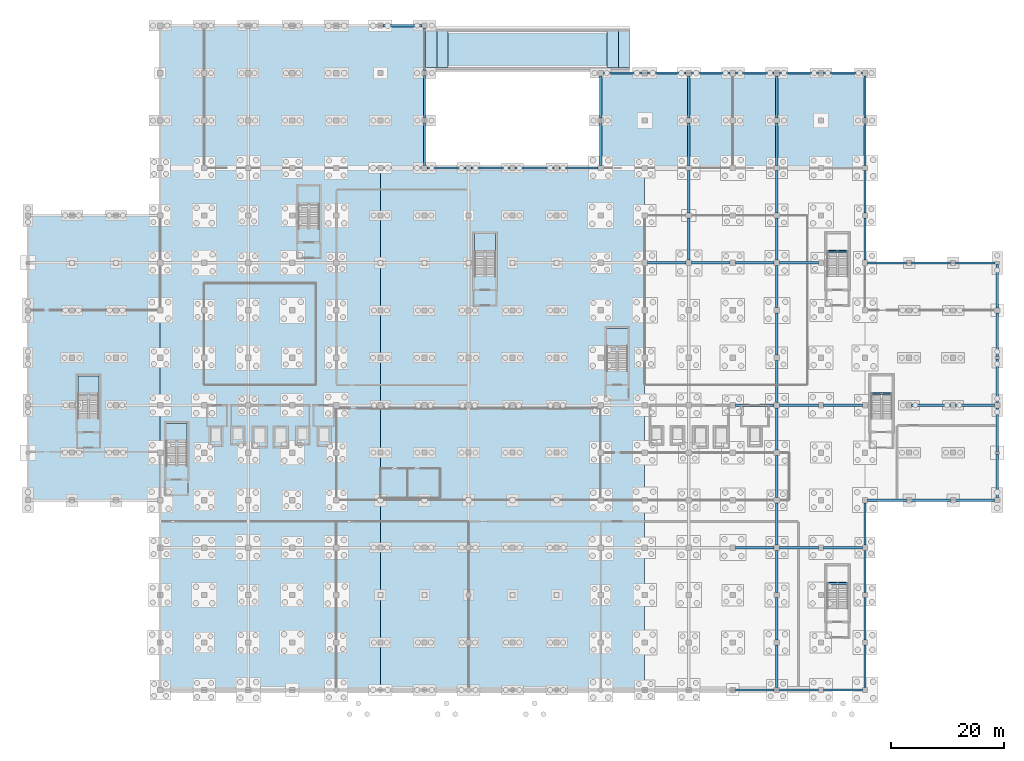
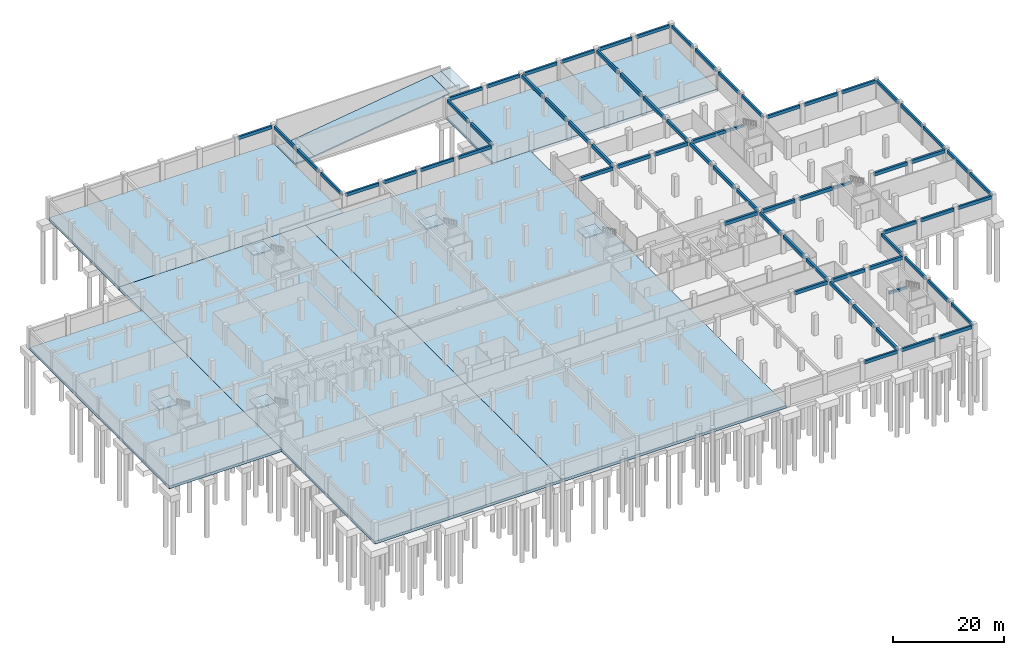
# One storey, part 11 of 30: 70 beams, 15 slabs, 5 elements without a shape of their own.
"""IFC4 building model written with IfcOpenShell, lengths in metres."""

from ifc_helpers import new_model, si_unit, direction, frame, origin, origin_2d, place, context, subcontext, project, spatial, polyline, rectangle, outline, extrude, material, layer, layer_set, material_profile, profile_set, type_object, element, aggregate, save


model = new_model("IFC4")

# Units and contexts
model_context = context("Model", 3, precision=1e-05, world=origin(), true_north=direction((0.0, 1.0)))
body_context = subcontext(model_context, "Body", "Model", "MODEL_VIEW")
ifc_project = project(units=[si_unit("LENGTHUNIT", "METRE"), si_unit("AREAUNIT", "SQUARE_METRE"), si_unit("VOLUMEUNIT", "CUBIC_METRE"), si_unit("PLANEANGLEUNIT", "RADIAN"), si_unit("MASSUNIT", "GRAM", prefix="KILO"), si_unit("THERMODYNAMICTEMPERATUREUNIT", "KELVIN"), si_unit("POWERUNIT", "WATT")], contexts=[model_context])

# Site, building, storey
site_placement = place(None, origin())
site = spatial("IfcSite", under=ifc_project, at=site_placement, CompositionType="ELEMENT")
building_placement = place(site_placement, origin())
building = spatial("IfcBuilding", under=site, at=building_placement, Name="Srebrne Nadtorze General Hospital", CompositionType="ELEMENT")
storey_placement = place(building_placement, frame((0.0, 0.0, -4.5)))
storey = spatial("IfcBuildingStorey", under=building, at=storey_placement, Name="B1", CompositionType="ELEMENT", Elevation=-4.5)

# Beams
ifc_material_1 = material(Name="Concrete C40/50", Category="concrete")
ifc_material_profile_1 = material_profile(ifc_material_1, rectangle(XDim=0.39990234375, YDim=0.699951171875, at=origin_2d()), Name="RC-BM-400x700")
ifc_profile_set_1 = profile_set([ifc_material_profile_1], Name="Concrete C40/50")
beam_type_1 = type_object("IfcBeamType", Name="Edge beam RC 400x700", PredefinedType="BEAM", material=ifc_profile_set_1)
for number, where, z_axis, x_axis, name in (
    (1, (125.27490234375, 0.0, 3.800048828125), (1.0, 0.0, 0.0), (0.0, 1.0, 0.0), "Beam BM-B1-X-0014"),
    (2, (133.074951171875, 0.0, 3.800048828125), (1.0, 0.0, 0.0), (0.0, 1.0, 0.0), "Beam BM-B1-X-0015"),
    (3, (140.875, 0.0, 3.800048828125), (1.0, 0.0, 0.0), (0.0, 1.0, 0.0), "Beam BM-B1-X-0016"),
):
    element("IfcBeam", number, at=place(storey_placement, frame(where, z_axis=z_axis, x_axis=x_axis)), inside=storey, type_object=beam_type_1, Name=name, PredefinedType="BEAM", context=body_context, shape_type="SweptSolid", body=[
        extrude(rectangle(XDim=0.39990234375, YDim=0.699951171875, at=origin_2d()), origin(), (0.0, 0.0, 1.0), 6.85009765625),
    ])
beam_1_placement = place(storey_placement, frame((148.675048828125, 33.60009765625, 3.800048828125), z_axis=(1.0, 0.0, 0.0), x_axis=(0.0, 1.0, 0.0)))
element("IfcBeam", 4, at=beam_1_placement, inside=storey, type_object=beam_type_1, Name="Beam BM-B1-X-0036", PredefinedType="BEAM", context=body_context, shape_type="SweptSolid", body=[
    extrude(rectangle(XDim=0.39990234375, YDim=0.699951171875, at=origin_2d()), origin(), (0.0, 0.0, 1.0), 6.875),
])
beam_2_placement = place(storey_placement, frame((156.449951171875, 33.60009765625, 3.800048828125), z_axis=(1.0, 0.0, 0.0), x_axis=(0.0, 1.0, 0.0)))
element("IfcBeam", 5, at=beam_2_placement, inside=storey, type_object=beam_type_1, Name="Beam BM-B1-X-0037", PredefinedType="BEAM", context=body_context, shape_type="SweptSolid", body=[
    extrude(rectangle(XDim=0.39990234375, YDim=0.699951171875, at=origin_2d()), origin(), (0.0, 0.0, 1.0), 6.900146484375),
])
beam_3_placement = place(storey_placement, frame((164.25, 33.60009765625, 3.800048828125), z_axis=(1.0, 0.0, 0.0), x_axis=(0.0, 1.0, 0.0)))
element("IfcBeam", 6, at=beam_3_placement, inside=storey, type_object=beam_type_1, Name="Beam BM-B1-X-0038", PredefinedType="BEAM", context=body_context, shape_type="SweptSolid", body=[
    extrude(rectangle(XDim=0.39990234375, YDim=0.699951171875, at=origin_2d()), origin(), (0.0, 0.0, 1.0), 6.89990234375),
])
beam_4_placement = place(storey_placement, frame((148.675048828125, 75.60009765625, 3.800048828125), z_axis=(1.0, 0.0, 0.0), x_axis=(0.0, 1.0, 0.0)))
element("IfcBeam", 7, at=beam_4_placement, inside=storey, type_object=beam_type_1, Name="Beam BM-B1-X-0076", PredefinedType="BEAM", context=body_context, shape_type="SweptSolid", body=[
    extrude(rectangle(XDim=0.39990234375, YDim=0.699951171875, at=origin_2d()), origin(), (0.0, 0.0, 1.0), 6.875),
])
beam_5_placement = place(storey_placement, frame((156.449951171875, 75.60009765625, 3.800048828125), z_axis=(1.0, 0.0, 0.0), x_axis=(0.0, 1.0, 0.0)))
element("IfcBeam", 8, at=beam_5_placement, inside=storey, type_object=beam_type_1, Name="Beam BM-B1-X-0077", PredefinedType="BEAM", context=body_context, shape_type="SweptSolid", body=[
    extrude(rectangle(XDim=0.39990234375, YDim=0.699951171875, at=origin_2d()), origin(), (0.0, 0.0, 1.0), 6.900146484375),
])
beam_6_placement = place(storey_placement, frame((164.25, 75.60009765625, 3.800048828125), z_axis=(1.0, 0.0, 0.0), x_axis=(0.0, 1.0, 0.0)))
element("IfcBeam", 9, at=beam_6_placement, inside=storey, type_object=beam_type_1, Name="Beam BM-B1-X-0078", PredefinedType="BEAM", context=body_context, shape_type="SweptSolid", body=[
    extrude(rectangle(XDim=0.39990234375, YDim=0.699951171875, at=origin_2d()), origin(), (0.0, 0.0, 1.0), 6.97509765625),
])
for number, where, z_axis, x_axis, name in (
    (10, (70.64990234375, 92.39990234375, 3.800048828125), (1.0, 0.0, 0.0), (0.0, 1.0, 0.0), "Beam BM-B1-X-0082"),
    (11, (78.449951171875, 92.39990234375, 3.800048828125), (1.0, 0.0, 0.0), (0.0, 1.0, 0.0), "Beam BM-B1-X-0083"),
):
    element("IfcBeam", number, at=place(storey_placement, frame(where, z_axis=z_axis, x_axis=x_axis)), inside=storey, type_object=beam_type_1, Name=name, PredefinedType="BEAM", context=body_context, shape_type="SweptSolid", body=[
        extrude(rectangle(XDim=0.39990234375, YDim=0.699951171875, at=origin_2d()), origin(), (0.0, 0.0, 1.0), 6.900146484375),
    ])
beam_7_placement = place(storey_placement, frame((86.25, 92.39990234375, 3.800048828125), z_axis=(1.0, 0.0, 0.0), x_axis=(0.0, 1.0, 0.0)))
element("IfcBeam", 12, at=beam_7_placement, inside=storey, type_object=beam_type_1, Name="Beam BM-B1-X-0084", PredefinedType="BEAM", context=body_context, shape_type="SweptSolid", body=[
    extrude(rectangle(XDim=0.39990234375, YDim=0.699951171875, at=origin_2d()), origin(), (0.0, 0.0, 1.0), 6.89990234375),
])
beam_8_placement = place(storey_placement, frame((94.050048828125, 92.39990234375, 3.800048828125), z_axis=(1.0, 0.0, 0.0), x_axis=(0.0, 1.0, 0.0)))
element("IfcBeam", 13, at=beam_8_placement, inside=storey, type_object=beam_type_1, Name="Beam BM-B1-X-0085", PredefinedType="BEAM", context=body_context, shape_type="SweptSolid", body=[
    extrude(rectangle(XDim=0.39990234375, YDim=0.699951171875, at=origin_2d()), origin(), (0.0, 0.0, 1.0), 6.875),
])
beam_9_placement = place(storey_placement, frame((101.875, 109.199951171875, 3.800048828125), z_axis=(1.0, 0.0, 0.0), x_axis=(0.0, 1.0, 0.0)))
element("IfcBeam", 14, at=beam_9_placement, inside=storey, type_object=beam_type_1, Name="Beam BM-B1-X-0086", PredefinedType="BEAM", context=body_context, shape_type="SweptSolid", body=[
    extrude(rectangle(XDim=0.39990234375, YDim=0.699951171875, at=origin_2d()), origin(), (0.0, 0.0, 1.0), 6.85009765625),
])
for number, where, z_axis, x_axis, name in (
    (15, (109.675048828125, 109.199951171875, 3.800048828125), (1.0, 0.0, 0.0), (0.0, 1.0, 0.0), "Beam BM-B1-X-0087"),
    (16, (117.47509765625, 109.199951171875, 3.800048828125), (1.0, 0.0, 0.0), (0.0, 1.0, 0.0), "Beam BM-B1-X-0088"),
):
    element("IfcBeam", number, at=place(storey_placement, frame(where, z_axis=z_axis, x_axis=x_axis)), inside=storey, type_object=beam_type_1, Name=name, PredefinedType="BEAM", context=body_context, shape_type="SweptSolid", body=[
        extrude(rectangle(XDim=0.39990234375, YDim=0.699951171875, at=origin_2d()), origin(), (0.0, 0.0, 1.0), 6.849853515625),
    ])
for number, where, z_axis, x_axis, name in (
    (17, (125.27490234375, 109.199951171875, 3.800048828125), (1.0, 0.0, 0.0), (0.0, 1.0, 0.0), "Beam BM-B1-X-0089"),
    (18, (133.074951171875, 109.199951171875, 3.800048828125), (1.0, 0.0, 0.0), (0.0, 1.0, 0.0), "Beam BM-B1-X-0090"),
    (19, (140.875, 109.199951171875, 3.800048828125), (1.0, 0.0, 0.0), (0.0, 1.0, 0.0), "Beam BM-B1-X-0091"),
):
    element("IfcBeam", number, at=place(storey_placement, frame(where, z_axis=z_axis, x_axis=x_axis)), inside=storey, type_object=beam_type_1, Name=name, PredefinedType="BEAM", context=body_context, shape_type="SweptSolid", body=[
        extrude(rectangle(XDim=0.39990234375, YDim=0.699951171875, at=origin_2d()), origin(), (0.0, 0.0, 1.0), 6.85009765625),
    ])
beam_10_placement = place(storey_placement, frame((62.85009765625, 117.60009765625, 3.800048828125), z_axis=(1.0, 0.0, 0.0), x_axis=(0.0, 1.0, 0.0)))
element("IfcBeam", 20, at=beam_10_placement, inside=storey, type_object=beam_type_1, Name="Beam BM-B1-X-0097", PredefinedType="BEAM", context=body_context, shape_type="SweptSolid", body=[
    extrude(rectangle(XDim=0.39990234375, YDim=0.699951171875, at=origin_2d()), origin(), (0.0, 0.0, 1.0), 6.89990234375),
])
for number, where, z_axis, x_axis, name in (
    (21, (70.199951171875, 92.85009765625, 3.800048828125), (0.0, 1.0, 0.0), (-1.0, 0.0, 0.0), "Beam BM-B1-Y-0126"),
    (22, (70.199951171875, 101.25, 3.800048828125), (0.0, 1.0, 0.0), (-1.0, 0.0, 0.0), "Beam BM-B1-Y-0127"),
    (23, (70.199951171875, 109.64990234375, 3.800048828125), (0.0, 1.0, 0.0), (-1.0, 0.0, 0.0), "Beam BM-B1-Y-0128"),
):
    element("IfcBeam", number, at=place(storey_placement, frame(where, z_axis=z_axis, x_axis=x_axis)), inside=storey, type_object=beam_type_1, Name=name, PredefinedType="BEAM", context=body_context, shape_type="SweptSolid", body=[
        extrude(rectangle(XDim=0.39990234375, YDim=0.699951171875, at=origin_2d()), origin(), (0.0, 0.0, 1.0), 7.5),
    ])
beam_11_placement = place(storey_placement, frame((101.39990234375, 92.875, 3.800048828125), z_axis=(0.0, 1.0, 0.0), x_axis=(-1.0, 0.0, 0.0)))
element("IfcBeam", 24, at=beam_11_placement, inside=storey, type_object=beam_type_1, Name="Beam BM-B1-Y-0140", PredefinedType="BEAM", context=body_context, shape_type="SweptSolid", body=[
    extrude(rectangle(XDim=0.39990234375, YDim=0.699951171875, at=origin_2d()), origin(), (0.0, 0.0, 1.0), 7.449951171875),
])
beam_12_placement = place(storey_placement, frame((101.39990234375, 101.27490234375, 3.800048828125), z_axis=(0.0, 1.0, 0.0), x_axis=(-1.0, 0.0, 0.0)))
element("IfcBeam", 25, at=beam_12_placement, inside=storey, type_object=beam_type_1, Name="Beam BM-B1-Y-0141", PredefinedType="BEAM", context=body_context, shape_type="SweptSolid", body=[
    extrude(rectangle(XDim=0.39990234375, YDim=0.699951171875, at=origin_2d()), origin(), (0.0, 0.0, 1.0), 7.4501953125),
])
for number, where, z_axis, x_axis, name in (
    (26, (148.199951171875, 0.47509765625, 3.800048828125), (0.0, 1.0, 0.0), (-1.0, 0.0, 0.0), "Beam BM-B1-Y-0168"),
    (27, (148.199951171875, 8.875, 3.800048828125), (0.0, 1.0, 0.0), (-1.0, 0.0, 0.0), "Beam BM-B1-Y-0169"),
):
    element("IfcBeam", number, at=place(storey_placement, frame(where, z_axis=z_axis, x_axis=x_axis)), inside=storey, type_object=beam_type_1, Name=name, PredefinedType="BEAM", context=body_context, shape_type="SweptSolid", body=[
        extrude(rectangle(XDim=0.39990234375, YDim=0.699951171875, at=origin_2d()), origin(), (0.0, 0.0, 1.0), 7.449951171875),
    ])
beam_13_placement = place(storey_placement, frame((148.199951171875, 17.27490234375, 3.800048828125), z_axis=(0.0, 1.0, 0.0), x_axis=(-1.0, 0.0, 0.0)))
element("IfcBeam", 28, at=beam_13_placement, inside=storey, type_object=beam_type_1, Name="Beam BM-B1-Y-0170", PredefinedType="BEAM", context=body_context, shape_type="SweptSolid", body=[
    extrude(rectangle(XDim=0.39990234375, YDim=0.699951171875, at=origin_2d()), origin(), (0.0, 0.0, 1.0), 7.4501953125),
])
for number, where, z_axis, x_axis, name in (
    (29, (148.199951171875, 25.675048828125, 3.800048828125), (0.0, 1.0, 0.0), (-1.0, 0.0, 0.0), "Beam BM-B1-Y-0171"),
    (30, (148.199951171875, 76.074951171875, 3.800048828125), (0.0, 1.0, 0.0), (-1.0, 0.0, 0.0), "Beam BM-B1-Y-0172"),
    (31, (148.199951171875, 84.47509765625, 3.800048828125), (0.0, 1.0, 0.0), (-1.0, 0.0, 0.0), "Beam BM-B1-Y-0173"),
    (32, (148.199951171875, 92.875, 3.800048828125), (0.0, 1.0, 0.0), (-1.0, 0.0, 0.0), "Beam BM-B1-Y-0174"),
):
    element("IfcBeam", number, at=place(storey_placement, frame(where, z_axis=z_axis, x_axis=x_axis)), inside=storey, type_object=beam_type_1, Name=name, PredefinedType="BEAM", context=body_context, shape_type="SweptSolid", body=[
        extrude(rectangle(XDim=0.39990234375, YDim=0.699951171875, at=origin_2d()), origin(), (0.0, 0.0, 1.0), 7.449951171875),
    ])
beam_14_placement = place(storey_placement, frame((148.199951171875, 101.27490234375, 3.800048828125), z_axis=(0.0, 1.0, 0.0), x_axis=(-1.0, 0.0, 0.0)))
element("IfcBeam", 33, at=beam_14_placement, inside=storey, type_object=beam_type_1, Name="Beam BM-B1-Y-0175", PredefinedType="BEAM", context=body_context, shape_type="SweptSolid", body=[
    extrude(rectangle(XDim=0.39990234375, YDim=0.699951171875, at=origin_2d()), origin(), (0.0, 0.0, 1.0), 7.4501953125),
])
for number, where, z_axis, x_axis, name in (
    (34, (171.60009765625, 34.050048828125, 3.800048828125), (0.0, 1.0, 0.0), (-1.0, 0.0, 0.0), "Beam BM-B1-Y-0176"),
    (35, (171.60009765625, 42.25, 3.800048828125), (0.0, 1.0, 0.0), (-1.0, 0.0, 0.0), "Beam BM-B1-Y-0177"),
    (36, (171.60009765625, 50.85009765625, 3.800048828125), (0.0, 1.0, 0.0), (-1.0, 0.0, 0.0), "Beam BM-B1-Y-0178"),
    (37, (171.60009765625, 59.050048828125, 3.800048828125), (0.0, 1.0, 0.0), (-1.0, 0.0, 0.0), "Beam BM-B1-Y-0179"),
):
    element("IfcBeam", number, at=place(storey_placement, frame(where, z_axis=z_axis, x_axis=x_axis)), inside=storey, type_object=beam_type_1, Name=name, PredefinedType="BEAM", context=body_context, shape_type="SweptSolid", body=[
        extrude(rectangle(XDim=0.39990234375, YDim=0.699951171875, at=origin_2d()), origin(), (0.0, 0.0, 1.0), 7.699951171875),
    ])
beam_15_placement = place(storey_placement, frame((171.60009765625, 67.64990234375, 3.800048828125), z_axis=(0.0, 1.0, 0.0), x_axis=(-1.0, 0.0, 0.0)))
element("IfcBeam", 38, at=beam_15_placement, inside=storey, type_object=beam_type_1, Name="Beam BM-B1-Y-0180", PredefinedType="BEAM", context=body_context, shape_type="SweptSolid", body=[
    extrude(rectangle(XDim=0.39990234375, YDim=0.699951171875, at=origin_2d()), origin(), (0.0, 0.0, 1.0), 7.7001953125),
])
ifc_material_2 = material(Name="Concrete C40/50", Category="concrete")
ifc_material_profile_2 = material_profile(ifc_material_2, rectangle(XDim=0.449951171875, YDim=0.75, at=origin_2d()), Name="RC-BM-450x750")
ifc_profile_set_2 = profile_set([ifc_material_profile_2], Name="Concrete C40/50")
beam_type_2 = type_object("IfcBeamType", Name="Primary beam RC 450x750", PredefinedType="BEAM", material=ifc_profile_set_2)
for number, where, z_axis, x_axis, name in (
    (39, (125.27490234375, 25.199951171875, 3.77490234375), (1.0, 0.0, 0.0), (0.0, 1.0, 0.0), "Beam BM-B1-X-0030"),
    (40, (133.074951171875, 25.199951171875, 3.77490234375), (1.0, 0.0, 0.0), (0.0, 1.0, 0.0), "Beam BM-B1-X-0031"),
    (41, (140.875, 25.199951171875, 3.77490234375), (1.0, 0.0, 0.0), (0.0, 1.0, 0.0), "Beam BM-B1-X-0032"),
    (42, (125.27490234375, 50.39990234375, 3.77490234375), (1.0, 0.0, 0.0), (0.0, 1.0, 0.0), "Beam BM-B1-X-0054"),
    (43, (133.074951171875, 50.39990234375, 3.77490234375), (1.0, 0.0, 0.0), (0.0, 1.0, 0.0), "Beam BM-B1-X-0055"),
    (44, (140.875, 50.39990234375, 3.77490234375), (1.0, 0.0, 0.0), (0.0, 1.0, 0.0), "Beam BM-B1-X-0056"),
):
    element("IfcBeam", number, at=place(storey_placement, frame(where, z_axis=z_axis, x_axis=x_axis)), inside=storey, type_object=beam_type_2, Name=name, PredefinedType="BEAM", context=body_context, shape_type="SweptSolid", body=[
        extrude(rectangle(XDim=0.449951171875, YDim=0.75, at=origin_2d()), origin(), (0.0, 0.0, 1.0), 6.85009765625),
    ])
beam_16_placement = place(storey_placement, frame((156.449951171875, 50.39990234375, 3.77490234375), z_axis=(1.0, 0.0, 0.0), x_axis=(0.0, 1.0, 0.0)))
element("IfcBeam", 45, at=beam_16_placement, inside=storey, type_object=beam_type_2, Name="Beam BM-B1-X-0057", PredefinedType="BEAM", context=body_context, shape_type="SweptSolid", body=[
    extrude(rectangle(XDim=0.449951171875, YDim=0.75, at=origin_2d()), origin(), (0.0, 0.0, 1.0), 6.900146484375),
])
beam_17_placement = place(storey_placement, frame((164.25, 50.39990234375, 3.77490234375), z_axis=(1.0, 0.0, 0.0), x_axis=(0.0, 1.0, 0.0)))
element("IfcBeam", 46, at=beam_17_placement, inside=storey, type_object=beam_type_2, Name="Beam BM-B1-X-0058", PredefinedType="BEAM", context=body_context, shape_type="SweptSolid", body=[
    extrude(rectangle(XDim=0.449951171875, YDim=0.75, at=origin_2d()), origin(), (0.0, 0.0, 1.0), 6.89990234375),
])
for number, where, z_axis, x_axis, name in (
    (47, (109.675048828125, 75.60009765625, 3.77490234375), (1.0, 0.0, 0.0), (0.0, 1.0, 0.0), "Beam BM-B1-X-0072"),
    (48, (117.47509765625, 75.60009765625, 3.77490234375), (1.0, 0.0, 0.0), (0.0, 1.0, 0.0), "Beam BM-B1-X-0073"),
):
    element("IfcBeam", number, at=place(storey_placement, frame(where, z_axis=z_axis, x_axis=x_axis)), inside=storey, type_object=beam_type_2, Name=name, PredefinedType="BEAM", context=body_context, shape_type="SweptSolid", body=[
        extrude(rectangle(XDim=0.449951171875, YDim=0.75, at=origin_2d()), origin(), (0.0, 0.0, 1.0), 6.849853515625),
    ])
for number, where, z_axis, x_axis, name in (
    (49, (125.27490234375, 75.60009765625, 3.77490234375), (1.0, 0.0, 0.0), (0.0, 1.0, 0.0), "Beam BM-B1-X-0074"),
    (50, (133.074951171875, 75.60009765625, 3.77490234375), (1.0, 0.0, 0.0), (0.0, 1.0, 0.0), "Beam BM-B1-X-0075"),
):
    element("IfcBeam", number, at=place(storey_placement, frame(where, z_axis=z_axis, x_axis=x_axis)), inside=storey, type_object=beam_type_2, Name=name, PredefinedType="BEAM", context=body_context, shape_type="SweptSolid", body=[
        extrude(rectangle(XDim=0.449951171875, YDim=0.75, at=origin_2d()), origin(), (0.0, 0.0, 1.0), 6.85009765625),
    ])
for number, where, z_axis, x_axis, name in (
    (51, (117.0, 76.074951171875, 3.77490234375), (0.0, 1.0, 0.0), (-1.0, 0.0, 0.0), "Beam BM-B1-Y-0151"),
    (52, (117.0, 84.47509765625, 3.77490234375), (0.0, 1.0, 0.0), (-1.0, 0.0, 0.0), "Beam BM-B1-Y-0152"),
    (53, (117.0, 92.875, 3.77490234375), (0.0, 1.0, 0.0), (-1.0, 0.0, 0.0), "Beam BM-B1-Y-0153"),
):
    element("IfcBeam", number, at=place(storey_placement, frame(where, z_axis=z_axis, x_axis=x_axis)), inside=storey, type_object=beam_type_2, Name=name, PredefinedType="BEAM", context=body_context, shape_type="SweptSolid", body=[
        extrude(rectangle(XDim=0.449951171875, YDim=0.75, at=origin_2d()), origin(), (0.0, 0.0, 1.0), 7.449951171875),
    ])
beam_18_placement = place(storey_placement, frame((117.0, 101.27490234375, 3.77490234375), z_axis=(0.0, 1.0, 0.0), x_axis=(-1.0, 0.0, 0.0)))
element("IfcBeam", 54, at=beam_18_placement, inside=storey, type_object=beam_type_2, Name="Beam BM-B1-Y-0154", PredefinedType="BEAM", context=body_context, shape_type="SweptSolid", body=[
    extrude(rectangle(XDim=0.449951171875, YDim=0.75, at=origin_2d()), origin(), (0.0, 0.0, 1.0), 7.4501953125),
])
for number, where, z_axis, x_axis, name in (
    (55, (132.60009765625, 0.47509765625, 3.77490234375), (0.0, 1.0, 0.0), (-1.0, 0.0, 0.0), "Beam BM-B1-Y-0155"),
    (56, (132.60009765625, 8.875, 3.77490234375), (0.0, 1.0, 0.0), (-1.0, 0.0, 0.0), "Beam BM-B1-Y-0156"),
):
    element("IfcBeam", number, at=place(storey_placement, frame(where, z_axis=z_axis, x_axis=x_axis)), inside=storey, type_object=beam_type_2, Name=name, PredefinedType="BEAM", context=body_context, shape_type="SweptSolid", body=[
        extrude(rectangle(XDim=0.449951171875, YDim=0.75, at=origin_2d()), origin(), (0.0, 0.0, 1.0), 7.449951171875),
    ])
beam_19_placement = place(storey_placement, frame((132.60009765625, 17.27490234375, 3.77490234375), z_axis=(0.0, 1.0, 0.0), x_axis=(-1.0, 0.0, 0.0)))
element("IfcBeam", 57, at=beam_19_placement, inside=storey, type_object=beam_type_2, Name="Beam BM-B1-Y-0157", PredefinedType="BEAM", context=body_context, shape_type="SweptSolid", body=[
    extrude(rectangle(XDim=0.449951171875, YDim=0.75, at=origin_2d()), origin(), (0.0, 0.0, 1.0), 7.4501953125),
])
for number, where, z_axis, x_axis, name in (
    (58, (132.60009765625, 25.675048828125, 3.77490234375), (0.0, 1.0, 0.0), (-1.0, 0.0, 0.0), "Beam BM-B1-Y-0158"),
    (59, (132.60009765625, 34.074951171875, 3.77490234375), (0.0, 1.0, 0.0), (-1.0, 0.0, 0.0), "Beam BM-B1-Y-0159"),
    (60, (132.60009765625, 42.47509765625, 3.77490234375), (0.0, 1.0, 0.0), (-1.0, 0.0, 0.0), "Beam BM-B1-Y-0160"),
    (61, (132.60009765625, 50.875, 3.77490234375), (0.0, 1.0, 0.0), (-1.0, 0.0, 0.0), "Beam BM-B1-Y-0161"),
):
    element("IfcBeam", number, at=place(storey_placement, frame(where, z_axis=z_axis, x_axis=x_axis)), inside=storey, type_object=beam_type_2, Name=name, PredefinedType="BEAM", context=body_context, shape_type="SweptSolid", body=[
        extrude(rectangle(XDim=0.449951171875, YDim=0.75, at=origin_2d()), origin(), (0.0, 0.0, 1.0), 7.449951171875),
    ])
beam_20_placement = place(storey_placement, frame((132.60009765625, 59.27490234375, 3.77490234375), z_axis=(0.0, 1.0, 0.0), x_axis=(-1.0, 0.0, 0.0)))
element("IfcBeam", 62, at=beam_20_placement, inside=storey, type_object=beam_type_2, Name="Beam BM-B1-Y-0162", PredefinedType="BEAM", context=body_context, shape_type="SweptSolid", body=[
    extrude(rectangle(XDim=0.449951171875, YDim=0.75, at=origin_2d()), origin(), (0.0, 0.0, 1.0), 7.4501953125),
])
for number, where, z_axis, x_axis, name in (
    (63, (132.60009765625, 67.675048828125, 3.77490234375), (0.0, 1.0, 0.0), (-1.0, 0.0, 0.0), "Beam BM-B1-Y-0163"),
    (64, (132.60009765625, 76.074951171875, 3.77490234375), (0.0, 1.0, 0.0), (-1.0, 0.0, 0.0), "Beam BM-B1-Y-0164"),
    (65, (132.60009765625, 84.47509765625, 3.77490234375), (0.0, 1.0, 0.0), (-1.0, 0.0, 0.0), "Beam BM-B1-Y-0165"),
    (66, (132.60009765625, 92.875, 3.77490234375), (0.0, 1.0, 0.0), (-1.0, 0.0, 0.0), "Beam BM-B1-Y-0166"),
):
    element("IfcBeam", number, at=place(storey_placement, frame(where, z_axis=z_axis, x_axis=x_axis)), inside=storey, type_object=beam_type_2, Name=name, PredefinedType="BEAM", context=body_context, shape_type="SweptSolid", body=[
        extrude(rectangle(XDim=0.449951171875, YDim=0.75, at=origin_2d()), origin(), (0.0, 0.0, 1.0), 7.449951171875),
    ])
beam_21_placement = place(storey_placement, frame((132.60009765625, 101.27490234375, 3.77490234375), z_axis=(0.0, 1.0, 0.0), x_axis=(-1.0, 0.0, 0.0)))
element("IfcBeam", 67, at=beam_21_placement, inside=storey, type_object=beam_type_2, Name="Beam BM-B1-Y-0167", PredefinedType="BEAM", context=body_context, shape_type="SweptSolid", body=[
    extrude(rectangle(XDim=0.449951171875, YDim=0.75, at=origin_2d()), origin(), (0.0, 0.0, 1.0), 7.4501953125),
])
ifc_material_3 = material(Name="Concrete C35/45", Category="concrete")
ifc_material_profile_3 = material_profile(ifc_material_3, rectangle(XDim=0.35009765625, YDim=0.550048828125, at=origin_2d()), Name="RC-BM-350x550")
ifc_profile_set_3 = profile_set([ifc_material_profile_3], Name="Concrete C35/45")
beam_type_3 = type_object("IfcBeamType", Name="Spandrel lintel beam RC 350x550", PredefinedType="LINTEL", material=ifc_profile_set_3)
for number, where, z_axis, x_axis, name in (
    (68, (141.449951171875, 77.679931640625, 1.97509765625), (1.0, 0.0, 0.0), (0.0, 1.0, 0.0), "Stair landing header beam ST-04 B1"),
    (69, (149.25, 52.47998046875, 1.97509765625), (1.0, 0.0, 0.0), (0.0, 1.0, 0.0), "Stair landing header beam ST-06 B1"),
    (70, (141.449951171875, 18.8798828125, 1.97509765625), (1.0, 0.0, 0.0), (0.0, 1.0, 0.0), "Stair landing header beam ST-08 B1"),
):
    element("IfcBeam", number, at=place(storey_placement, frame(where, z_axis=z_axis, x_axis=x_axis)), inside=storey, type_object=beam_type_3, Name=name, PredefinedType="LINTEL", context=body_context, shape_type="SweptSolid", body=[
        extrude(rectangle(XDim=0.35009765625, YDim=0.550048828125, at=origin_2d()), origin(), (0.0, 0.0, 1.0), 3.75),
    ])

# Slabs
ifc_material_4 = material(Name="Concrete C35/45", Category="concrete")
ifc_layer_1 = layer(ifc_material_4, 0.60009765625)
ifc_layer_set_1 = layer_set([ifc_layer_1], Name="Concrete C35/45")
slab_type_1 = type_object("IfcSlabType", Name="Basement base slab 600", PredefinedType="BASESLAB", material=ifc_layer_set_1)
slab_1_placement = place(storey_placement, frame((0.0, 0.0, -0.60009765625)))
element("IfcSlab", 71, at=slab_1_placement, inside=storey, type_object=slab_type_1, Name="Basement base slab SL-B1-01", PredefinedType="BASESLAB", context=body_context, shape_type="SweptSolid", body=[
    extrude(outline(polyline([(23.39990234375, 0.0), (62.39990234375, 0.0), (62.39990234375, 92.39990234375), (23.39990234375, 92.39990234375), (23.39990234375, 0.0)])), origin(), (0.0, 0.0, 1.0), 0.60009765625),
])
slab_2_placement = place(storey_placement, frame((0.0, 0.0, -0.60009765625)))
element("IfcSlab", 72, at=slab_2_placement, inside=storey, type_object=slab_type_1, Name="Basement base slab SL-B1-02", PredefinedType="BASESLAB", context=body_context, shape_type="SweptSolid", body=[
    extrude(outline(polyline([(62.39990234375, 0.0), (109.199951171875, 0.0), (109.199951171875, 92.39990234375), (62.39990234375, 92.39990234375), (62.39990234375, 0.0)])), origin(), (0.0, 0.0, 1.0), 0.60009765625),
])
slab_3_placement = place(storey_placement, frame((0.0, 0.0, -0.60009765625)))
element("IfcSlab", 73, at=slab_3_placement, inside=storey, type_object=slab_type_1, Name="Basement base slab SL-B1-04", PredefinedType="BASESLAB", context=body_context, shape_type="SweptSolid", body=[
    extrude(outline(polyline([(0.0, 33.60009765625), (23.39990234375, 33.60009765625), (23.39990234375, 84.0), (0.0, 84.0), (0.0, 33.60009765625)])), origin(), (0.0, 0.0, 1.0), 0.60009765625),
])
slab_4_placement = place(storey_placement, frame((0.0, 0.0, -0.60009765625)))
element("IfcSlab", 74, at=slab_4_placement, inside=storey, type_object=slab_type_1, Name="Basement base slab SL-B1-05", PredefinedType="BASESLAB", context=body_context, shape_type="SweptSolid", body=[
    extrude(outline(polyline([(23.39990234375, 92.39990234375), (70.199951171875, 92.39990234375), (70.199951171875, 117.60009765625), (23.39990234375, 117.60009765625), (23.39990234375, 92.39990234375)])), origin(), (0.0, 0.0, 1.0), 0.60009765625),
])
slab_5_placement = place(storey_placement, frame((0.0, 0.0, -0.60009765625)))
element("IfcSlab", 75, at=slab_5_placement, inside=storey, type_object=slab_type_1, Name="Basement base slab SL-B1-06", PredefinedType="BASESLAB", context=body_context, shape_type="SweptSolid", body=[
    extrude(outline(polyline([(101.39990234375, 92.39990234375), (148.199951171875, 92.39990234375), (148.199951171875, 109.199951171875), (101.39990234375, 109.199951171875), (101.39990234375, 92.39990234375)])), origin(), (0.0, 0.0, 1.0), 0.60009765625),
])
ifc_material_5 = material(Name="Concrete C35/45", Category="concrete")
ifc_layer_2 = layer(ifc_material_5, 0.280029296875)
ifc_layer_set_2 = layer_set([ifc_layer_2], Name="Concrete C35/45")
slab_type_2 = type_object("IfcSlabType", Name="Reinforced concrete vehicle ramp flight", PredefinedType="FLOOR", material=ifc_layer_set_2)
slab_6_placement = place(storey_placement, frame((70.39990234375, 113.39990234375, 0.0), z_axis=(0.0, 0.0, 1.0), x_axis=(1.0, 0.0, 0.0)))
element("IfcSlab", 76, at=slab_6_placement, inside=storey, type_object=slab_type_2, Name="Vehicle ramp flight 1", PredefinedType="FLOOR", context=body_context, shape_type="SweptSolid", body=[
    extrude(outline(polyline([(0.0, 0.0), (2.0, 0.070068359375), (2.0, -0.2099609375), (0.0, -0.280029296875), (0.0, 0.0)])), frame((0.0, 3.25, 0.0), z_axis=(0.0, -1.0, 0.0), x_axis=(1.0, 0.0, 0.0)), (0.0, 0.0, 1.0), 6.5),
])
slab_7_placement = place(storey_placement, frame((72.39990234375, 113.39990234375, 0.070068359375), z_axis=(0.0, 0.0, 1.0), x_axis=(1.0, 0.0, 0.0)))
element("IfcSlab", 77, at=slab_7_placement, inside=storey, type_object=slab_type_2, Name="Vehicle ramp flight 2", PredefinedType="FLOOR", context=body_context, shape_type="SweptSolid", body=[
    extrude(outline(polyline([(0.0, 0.0), (2.0, 0.2099609375), (2.0, -0.070068359375), (0.0, -0.280029296875), (0.0, 0.0)])), frame((0.0, 3.25, 0.0), z_axis=(0.0, -1.0, 0.0), x_axis=(1.0, 0.0, 0.0)), (0.0, 0.0, 1.0), 6.5),
])
slab_8_placement = place(storey_placement, frame((74.39990234375, 113.39990234375, 0.280029296875), z_axis=(0.0, 0.0, 1.0), x_axis=(1.0, 0.0, 0.0)))
element("IfcSlab", 78, at=slab_8_placement, inside=storey, type_object=slab_type_2, Name="Vehicle ramp flight 3", PredefinedType="FLOOR", context=body_context, shape_type="SweptSolid", body=[
    extrude(outline(polyline([(0.0, 0.0), (28.14306640625, 3.93994140625), (28.14306640625, 3.659912109375), (0.0, -0.280029296875), (0.0, 0.0)])), frame((0.0, 3.25, 0.0), z_axis=(0.0, -1.0, 0.0), x_axis=(1.0, 0.0, 0.0)), (0.0, 0.0, 1.0), 6.5),
])
slab_9_placement = place(storey_placement, frame((102.54296875, 113.39990234375, 4.219970703125), z_axis=(0.0, 0.0, 1.0), x_axis=(1.0, 0.0, 0.0)))
element("IfcSlab", 79, at=slab_9_placement, inside=storey, type_object=slab_type_2, Name="Vehicle ramp flight 4", PredefinedType="FLOOR", context=body_context, shape_type="SweptSolid", body=[
    extrude(outline(polyline([(0.0, 0.0), (2.0, 0.2099609375), (2.0, -0.070068359375), (0.0, -0.280029296875), (0.0, 0.0)])), frame((0.0, 3.25, 0.0), z_axis=(0.0, -1.0, 0.0), x_axis=(1.0, 0.0, 0.0)), (0.0, 0.0, 1.0), 6.5),
])
slab_10_placement = place(storey_placement, frame((104.54296875, 113.39990234375, 4.429931640625), z_axis=(0.0, 0.0, 1.0), x_axis=(1.0, 0.0, 0.0)))
element("IfcSlab", 80, at=slab_10_placement, inside=storey, type_object=slab_type_2, Name="Vehicle ramp flight 5", PredefinedType="FLOOR", context=body_context, shape_type="SweptSolid", body=[
    extrude(outline(polyline([(0.0, 0.0), (2.0, 0.070068359375), (2.0, -0.2099609375), (0.0, -0.280029296875), (0.0, 0.0)])), frame((0.0, 3.25, 0.0), z_axis=(0.0, -1.0, 0.0), x_axis=(1.0, 0.0, 0.0)), (0.0, 0.0, 1.0), 6.5),
])

# Stair, slab
ifc_material_6 = material(Name="Concrete C35/45", Category="concrete")
stair_type = type_object("IfcStairType", Name="Dog-leg escape stair 450", PredefinedType="HALF_TURN_STAIR", material=ifc_material_6)
stair_1_placement = place(storey_placement, origin())
stair_1 = element("IfcStair", 81, at=stair_1_placement, inside=storey, type_object=stair_type, Name="Escape stair ST-01-B1", PredefinedType="HALF_TURN_STAIR")
ifc_material_7 = material(Name="Concrete C35/45", Category="concrete")
ifc_layer_3 = layer(ifc_material_7, 0.219970703125)
ifc_layer_set_3 = layer_set([ifc_layer_3], Name="Concrete C35/45")
slab_type_3 = type_object("IfcSlabType", Name="Stair landing slab 220", PredefinedType="LANDING", material=ifc_layer_set_3)
slab_11_placement = place(storey_placement, frame((0.0, 0.0, 2.030029296875)))
slab_11 = element("IfcSlab", 82, at=slab_11_placement, type_object=slab_type_3, Name="ST-01 landing 1", PredefinedType="LANDING", context=body_context, shape_type="SweptSolid", body=[
    extrude(outline(polyline([(24.449951171875, 44.080078125), (28.199951171875, 44.080078125), (28.199951171875, 47.199951171875), (24.449951171875, 47.199951171875), (24.449951171875, 44.080078125)])), origin(), (0.0, 0.0, 1.0), 0.219970703125),
])
aggregate(stair_1, [slab_11])

stair_2_placement = place(storey_placement, origin())
stair_2 = element("IfcStair", 83, at=stair_2_placement, inside=storey, type_object=stair_type, Name="Escape stair ST-02-B1", PredefinedType="HALF_TURN_STAIR")
slab_12_placement = place(storey_placement, frame((0.0, 0.0, 2.030029296875)))
slab_12 = element("IfcSlab", 84, at=slab_12_placement, type_object=slab_type_3, Name="ST-02 landing 1", PredefinedType="LANDING", context=body_context, shape_type="SweptSolid", body=[
    extrude(outline(polyline([(47.85009765625, 86.080078125), (51.60009765625, 86.080078125), (51.60009765625, 89.199951171875), (47.85009765625, 89.199951171875), (47.85009765625, 86.080078125)])), origin(), (0.0, 0.0, 1.0), 0.219970703125),
])
aggregate(stair_2, [slab_12])

stair_3_placement = place(storey_placement, origin())
stair_3 = element("IfcStair", 85, at=stair_3_placement, inside=storey, type_object=stair_type, Name="Escape stair ST-03-B1", PredefinedType="HALF_TURN_STAIR")
slab_13_placement = place(storey_placement, frame((0.0, 0.0, 2.030029296875)))
slab_13 = element("IfcSlab", 86, at=slab_13_placement, type_object=slab_type_3, Name="ST-03 landing 1", PredefinedType="LANDING", context=body_context, shape_type="SweptSolid", body=[
    extrude(outline(polyline([(102.449951171875, 60.8798828125), (106.199951171875, 60.8798828125), (106.199951171875, 64.0), (102.449951171875, 64.0), (102.449951171875, 60.8798828125)])), origin(), (0.0, 0.0, 1.0), 0.219970703125),
])
aggregate(stair_3, [slab_13])

stair_4_placement = place(storey_placement, origin())
stair_4 = element("IfcStair", 87, at=stair_4_placement, inside=storey, type_object=stair_type, Name="Escape stair ST-05-B1", PredefinedType="HALF_TURN_STAIR")
slab_14_placement = place(storey_placement, frame((0.0, 0.0, 2.030029296875)))
slab_14 = element("IfcSlab", 88, at=slab_14_placement, type_object=slab_type_3, Name="ST-05 landing 1", PredefinedType="LANDING", context=body_context, shape_type="SweptSolid", body=[
    extrude(outline(polyline([(8.85009765625, 52.47998046875), (12.60009765625, 52.47998046875), (12.60009765625, 55.60009765625), (8.85009765625, 55.60009765625), (8.85009765625, 52.47998046875)])), origin(), (0.0, 0.0, 1.0), 0.219970703125),
])
aggregate(stair_4, [slab_14])

stair_5_placement = place(storey_placement, origin())
stair_5 = element("IfcStair", 89, at=stair_5_placement, inside=storey, type_object=stair_type, Name="Escape stair ST-07-B1", PredefinedType="HALF_TURN_STAIR")
slab_15_placement = place(storey_placement, frame((0.0, 0.0, 2.030029296875)))
slab_15 = element("IfcSlab", 90, at=slab_15_placement, type_object=slab_type_3, Name="ST-07 landing 1", PredefinedType="LANDING", context=body_context, shape_type="SweptSolid", body=[
    extrude(outline(polyline([(79.050048828125, 77.679931640625), (82.800048828125, 77.679931640625), (82.800048828125, 80.800048828125), (79.050048828125, 80.800048828125), (79.050048828125, 77.679931640625)])), origin(), (0.0, 0.0, 1.0), 0.219970703125),
])
aggregate(stair_5, [slab_15])

save(model, "model.ifc")
